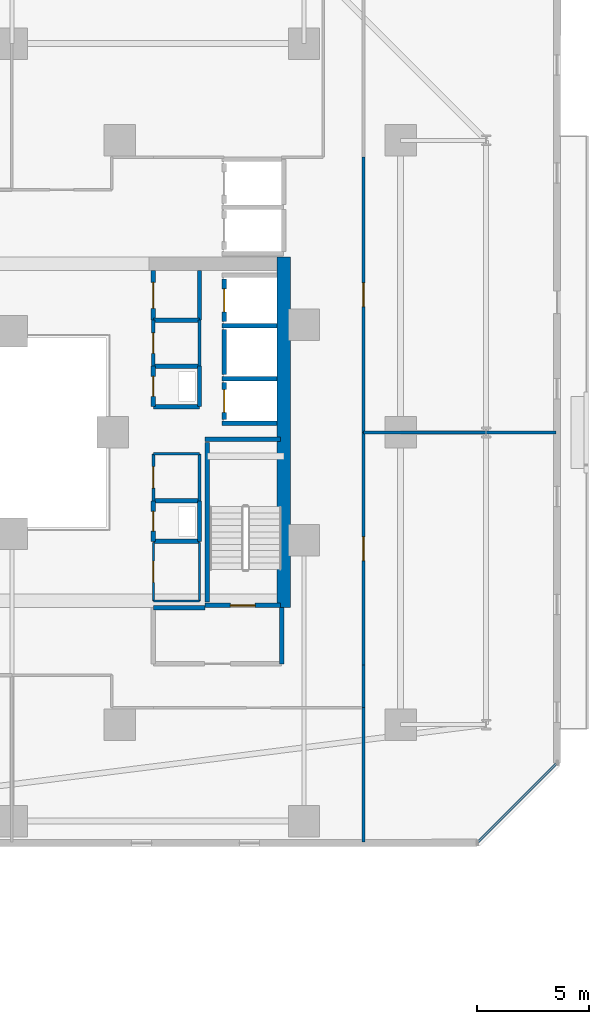
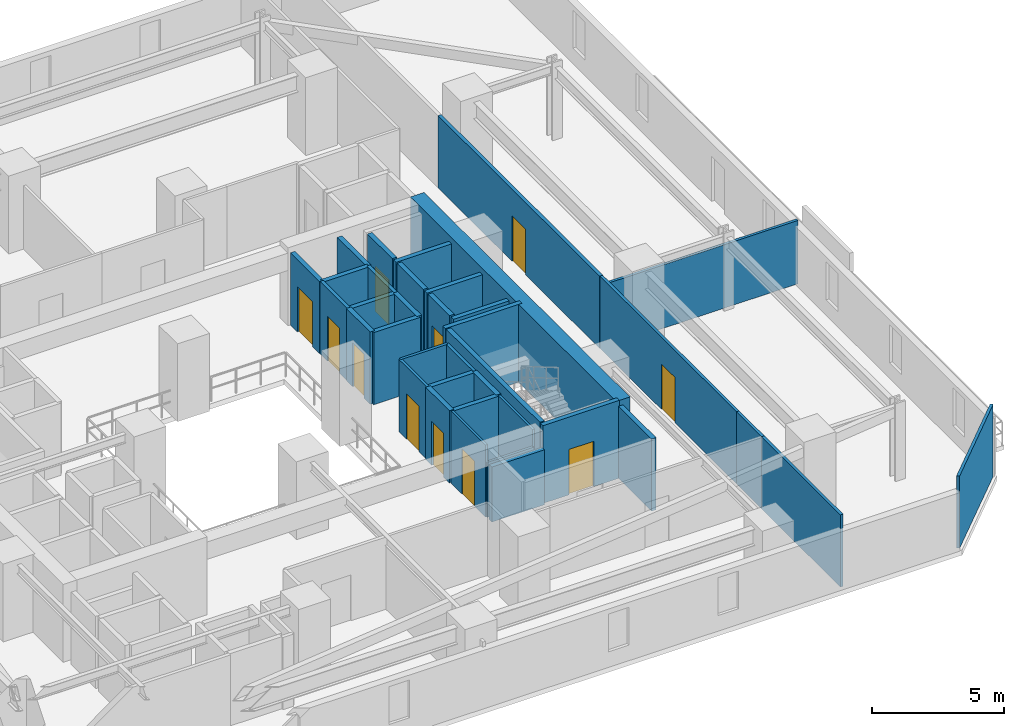
# One storey, part 25 of 34: 37 walls, 11 doors, 11 openings.
"""IFC4 building model written with IfcOpenShell, lengths in metres."""

from ifc_helpers import new_model, si_unit, direction, frame, frame_2d, origin, place, context, subcontext, project, spatial, rectangle, extrude, material, layer, layer_set, type_object, element, fill, save


model = new_model("IFC4")

# Units and contexts
model_context = context("Model", 3, precision=1e-05, world=origin(), true_north=direction((0.0, 1.0)))
body_context = subcontext(model_context, "Body", "Model", "MODEL_VIEW")
ifc_project = project(units=[si_unit("LENGTHUNIT", "METRE"), si_unit("AREAUNIT", "SQUARE_METRE"), si_unit("VOLUMEUNIT", "CUBIC_METRE"), si_unit("PLANEANGLEUNIT", "RADIAN"), si_unit("MASSUNIT", "GRAM", prefix="KILO")], contexts=[model_context])

# Site, building, storey
site_placement = place(None, origin())
site = spatial("IfcSite", under=ifc_project, at=site_placement, CompositionType="ELEMENT")
building_placement = place(site_placement, origin())
building = spatial("IfcBuilding", under=site, at=building_placement, Name="Thornwick Lancets Civic Towers", CompositionType="ELEMENT")
storey_placement = place(building_placement, frame((0.0, 0.0, 57.300048828125)))
storey = spatial("IfcBuildingStorey", under=building, at=storey_placement, Name="L14", CompositionType="ELEMENT", Elevation=57.300048828125)

# Wall, opening, door
ifc_material_1 = material(Name="Concrete blockwork C40/50", Category="masonry")
ifc_layer_1 = layer(ifc_material_1, 0.199951171875, Name="Concrete blockwork C40/50")
ifc_layer_set_1 = layer_set([ifc_layer_1], Name="Concrete blockwork C40/50")
wall_type_1 = type_object("IfcWallType", Name="WALL_COMP_200", PredefinedType="STANDARD", material=ifc_layer_set_1)
wall_1_placement = place(storey_placement, frame((97.949951171875, 29.219970703125, 0.0), z_axis=(0.0, 0.0, 1.0), x_axis=(0.0, -1.0, 0.0)))
wall_1 = element("IfcWall", 1, at=wall_1_placement, inside=storey, type_object=wall_type_1, Name="L14 Hoistway Front Wall FL-B1", PredefinedType="STANDARD", context=body_context, shape_type="SweptSolid", body=[
    extrude(rectangle(XDim=1.639892578125, YDim=0.199951171875, at=frame_2d((0.81982421875, 0.0))), origin(), (0.0, 0.0, 1.0), 3.33984375),
])
opening_1_placement = place(wall_1_placement, frame((0.31005859375, 0.0, 0.0)))
opening_1 = element("IfcOpeningElement", 2, at=opening_1_placement, cuts=wall_1, Name="Opening LD-FL-B1", PredefinedType="OPENING", context=body_context, shape_type="SweptSolid", body=[
    extrude(rectangle(XDim=1.02001953125, YDim=2.06005859375, at=frame_2d((0.510009765625, 1.030029296875))), frame((0.0, 0.10986328125, 0.0), z_axis=(0.0, -1.0, 0.0), x_axis=(1.0, 0.0, 0.0)), (0.0, 0.0, 1.0), 0.219970703125),
])
ifc_material_2 = material(Name="Brushed bronze stainless steel", Category="steel")
door_type_1 = type_object("IfcDoorType", Name="DOOR_LIFT_SLIDE", OperationType="SLIDING_TO_LEFT", PredefinedType="DOOR", material=ifc_material_2)
door_1_placement = place(opening_1_placement, origin())
door_1 = element("IfcDoor", 3, at=door_1_placement, inside=storey, type_object=door_type_1, Name="L14 Sliding Lift Landing Door LD-FL-B1", OperationType="SLIDING_TO_LEFT", OverallHeight=2.06005859375, OverallWidth=1.02001953125, PredefinedType="DOOR", context=body_context, shape_type="SweptSolid", body=[
    extrude(rectangle(XDim=1.02001953125, YDim=2.06005859375, at=frame_2d((0.510009765625, 1.030029296875))), frame((0.0, 0.02490234375, 0.0), z_axis=(0.0, -1.0, 0.0), x_axis=(1.0, 0.0, 0.0)), (0.0, 0.0, 1.0), 0.050048828125),
])
fill(opening_1, door_1)

# Wall
wall_2_placement = place(storey_placement, frame((97.949951171875, 31.570068359375, 0.0), z_axis=(0.0, 0.0, 1.0), x_axis=(0.0, -1.0, 0.0)))
element("IfcWall", 4, at=wall_2_placement, inside=storey, type_object=wall_type_1, Name="L14 Hoistway Front Wall PL-BH1", PredefinedType="STANDARD", context=body_context, shape_type="SweptSolid", body=[
    extrude(rectangle(XDim=1.989990234375, YDim=0.199951171875, at=frame_2d((0.9951171875, 0.0))), origin(), (0.0, 0.0, 1.0), 3.33984375),
])

# Wall, opening, door
wall_3_placement = place(storey_placement, frame((97.949951171875, 33.820068359375, 0.0), z_axis=(0.0, 0.0, 1.0), x_axis=(0.0, -1.0, 0.0)))
wall_3 = element("IfcWall", 5, at=wall_3_placement, inside=storey, type_object=wall_type_1, Name="L14 Hoistway Front Wall PL-BL1", PredefinedType="STANDARD", context=body_context, shape_type="SweptSolid", body=[
    extrude(rectangle(XDim=1.89013671875, YDim=0.199951171875, at=frame_2d((0.945068359375, 0.0))), origin(), (0.0, 0.0, 1.0), 3.33984375),
])
opening_2_placement = place(wall_3_placement, frame((0.43505859375, 0.0, 0.0)))
opening_2 = element("IfcOpeningElement", 6, at=opening_2_placement, cuts=wall_3, Name="Opening LD-PL-BL1", PredefinedType="OPENING", context=body_context, shape_type="SweptSolid", body=[
    extrude(rectangle(XDim=1.02001953125, YDim=2.06005859375, at=frame_2d((0.510009765625, 1.030029296875))), frame((0.0, 0.10986328125, 0.0), z_axis=(0.0, -1.0, 0.0), x_axis=(1.0, 0.0, 0.0)), (0.0, 0.0, 1.0), 0.219970703125),
])
door_2_placement = place(opening_2_placement, origin())
door_2 = element("IfcDoor", 7, at=door_2_placement, inside=storey, type_object=door_type_1, Name="L14 Sliding Lift Landing Door LD-PL-BL1", OperationType="SLIDING_TO_LEFT", OverallHeight=2.06005859375, OverallWidth=1.02001953125, PredefinedType="DOOR", context=body_context, shape_type="SweptSolid", body=[
    extrude(rectangle(XDim=1.02001953125, YDim=2.06005859375, at=frame_2d((0.510009765625, 1.030029296875))), frame((0.0, 0.02490234375, 0.0), z_axis=(0.0, -1.0, 0.0), x_axis=(1.0, 0.0, 0.0)), (0.0, 0.0, 1.0), 0.050048828125),
])
fill(opening_2, door_2)

# Walls
for number, where, z_axis, x_axis, name in (
    (8, (97.85205078125, 29.39990234375, 0.0), (0.0, 0.0, 1.0), (1.0, 0.0, 0.0), "L14 Hoistway Shaft Wall FL-B1 N"),
    (9, (97.85205078125, 27.39990234375, 0.0), (0.0, 0.0, 1.0), (1.0, 0.0, 0.0), "L14 Hoistway Shaft Wall FL-B1 S"),
    (10, (97.85205078125, 31.75, 0.0), (0.0, 0.0, 1.0), (1.0, 0.0, 0.0), "L14 Hoistway Shaft Wall PL-BH1 N"),
):
    element("IfcWall", number, at=place(storey_placement, frame(where, z_axis=z_axis, x_axis=x_axis)), inside=storey, type_object=wall_type_1, Name=name, PredefinedType="STANDARD", context=body_context, shape_type="SweptSolid", body=[
        extrude(rectangle(XDim=2.43603515625, YDim=0.199951171875, at=frame_2d((1.218017578125, 0.0))), origin(), (0.0, 0.0, 1.0), 3.33984375),
    ])
wall_4_placement = place(storey_placement, frame((100.5, 16.699951171875, 0.0), z_axis=(0.0, 0.0, 1.0), x_axis=(0.0, 1.0, 0.0)))
element("IfcWall", 11, at=wall_4_placement, inside=storey, type_object=wall_type_1, Name="L14 Partition L14-B-FFLOB1 E2", PredefinedType="STANDARD", context=body_context, shape_type="SweptSolid", body=[
    extrude(rectangle(XDim=2.5, YDim=0.199951171875, at=frame_2d((1.25, 0.0))), origin(), (0.0, 0.0, 1.0), 3.33984375),
])
wall_5_placement = place(storey_placement, frame((97.10009765625, 19.199951171875, 0.0), z_axis=(0.0, 0.0, 1.0), x_axis=(-1.0, 0.0, 0.0)))
element("IfcWall", 12, at=wall_5_placement, inside=storey, type_object=wall_type_1, Name="L14 Partition L14-B-FFLOB1 E3", PredefinedType="STANDARD", context=body_context, shape_type="SweptSolid", body=[
    extrude(rectangle(XDim=2.300048828125, YDim=0.199951171875, at=frame_2d((1.14990234375, 0.0))), origin(), (0.0, 0.0, 1.0), 2.544921875),
])
wall_6_placement = place(storey_placement, frame((94.800048828125, 28.14990234375, 0.0), z_axis=(0.0, 0.0, 1.0), x_axis=(1.0, 0.0, 0.0)))
element("IfcWall", 13, at=wall_6_placement, inside=storey, type_object=wall_type_1, Name="L14 Partition L14-B-DUCT1 E1", PredefinedType="STANDARD", context=body_context, shape_type="SweptSolid", body=[
    extrude(rectangle(XDim=2.050048828125, YDim=0.199951171875, at=frame_2d((1.02490234375, 0.0))), origin(), (0.0, 0.0, 1.0), 3.33984375),
])
wall_7_placement = place(storey_placement, frame((96.85009765625, 28.14990234375, 0.0), z_axis=(0.0, 0.0, 1.0), x_axis=(0.0, 1.0, 0.0)))
element("IfcWall", 14, at=wall_7_placement, inside=storey, type_object=wall_type_1, Name="L14 Partition L14-B-DUCT1 E2", PredefinedType="STANDARD", context=body_context, shape_type="SweptSolid", body=[
    extrude(rectangle(XDim=1.800048828125, YDim=0.199951171875, at=frame_2d((0.89990234375, 0.0))), origin(), (0.0, 0.0, 1.0), 3.33984375),
])
wall_8_placement = place(storey_placement, frame((96.85009765625, 29.949951171875, 0.0), z_axis=(0.0, 0.0, 1.0), x_axis=(-1.0, 0.0, 0.0)))
element("IfcWall", 15, at=wall_8_placement, inside=storey, type_object=wall_type_1, Name="L14 Partition L14-B-DUCT1 E3", PredefinedType="STANDARD", context=body_context, shape_type="SweptSolid", body=[
    extrude(rectangle(XDim=2.050048828125, YDim=0.199951171875, at=frame_2d((1.02490234375, 0.0))), origin(), (0.0, 0.0, 1.0), 3.33984375),
])

# Wall, opening, door
wall_9_placement = place(storey_placement, frame((94.800048828125, 29.949951171875, 0.0), z_axis=(0.0, 0.0, 1.0), x_axis=(0.0, -1.0, 0.0)))
wall_9 = element("IfcWall", 16, at=wall_9_placement, inside=storey, type_object=wall_type_1, Name="L14 Partition L14-B-DUCT1 E4", PredefinedType="STANDARD", context=body_context, shape_type="SweptSolid", body=[
    extrude(rectangle(XDim=1.800048828125, YDim=0.199951171875, at=frame_2d((0.89990234375, 0.0))), origin(), (0.0, 0.0, 1.0), 3.33984375),
])
opening_3_placement = place(wall_9_placement, frame((0.4599609375, 0.0, 0.0)))
opening_3 = element("IfcOpeningElement", 17, at=opening_3_placement, cuts=wall_9, Name="Opening D-L14-0677", PredefinedType="OPENING", context=body_context, shape_type="SweptSolid", body=[
    extrude(rectangle(XDim=0.8798828125, YDim=2.0400390625, at=frame_2d((0.43994140625, 1.02001953125))), frame((0.0, 0.10986328125, 0.0), z_axis=(0.0, -1.0, 0.0), x_axis=(1.0, 0.0, 0.0)), (0.0, 0.0, 1.0), 0.219970703125),
])
ifc_material_3 = material(Name="Steel riser access doorset", Category="steel")
door_type_2 = type_object("IfcDoorType", Name="DOOR_RISER_850", OperationType="NOTDEFINED", PredefinedType="DOOR", material=ifc_material_3)
door_3_placement = place(opening_3_placement, origin())
door_3 = element("IfcDoor", 18, at=door_3_placement, inside=storey, type_object=door_type_2, Name="L14 East Service Duct 1 Door", OperationType="SINGLE_SWING_RIGHT", OverallHeight=2.0400390625, OverallWidth=0.8798828125, PredefinedType="DOOR", context=body_context, shape_type="SweptSolid", body=[
    extrude(rectangle(XDim=0.8798828125, YDim=2.0400390625, at=frame_2d((0.43994140625, 1.02001953125))), frame((0.0, 0.02490234375, 0.0), z_axis=(0.0, -1.0, 0.0), x_axis=(1.0, 0.0, 0.0)), (0.0, 0.0, 1.0), 0.050048828125),
])
fill(opening_3, door_3)

# Walls
wall_10_placement = place(storey_placement, frame((94.800048828125, 22.14990234375, 0.0), z_axis=(0.0, 0.0, 1.0), x_axis=(1.0, 0.0, 0.0)))
element("IfcWall", 19, at=wall_10_placement, inside=storey, type_object=wall_type_1, Name="L14 Partition L14-B-RISER1 E1", PredefinedType="STANDARD", context=body_context, shape_type="SweptSolid", body=[
    extrude(rectangle(XDim=2.050048828125, YDim=0.199951171875, at=frame_2d((1.02490234375, 0.0))), origin(), (0.0, 0.0, 1.0), 3.33984375),
])
wall_11_placement = place(storey_placement, frame((96.85009765625, 22.14990234375, 0.0), z_axis=(0.0, 0.0, 1.0), x_axis=(0.0, 1.0, 0.0)))
element("IfcWall", 20, at=wall_11_placement, inside=storey, type_object=wall_type_1, Name="L14 Partition L14-B-RISER1 E2", PredefinedType="STANDARD", context=body_context, shape_type="SweptSolid", body=[
    extrude(rectangle(XDim=1.800048828125, YDim=0.199951171875, at=frame_2d((0.89990234375, 0.0))), origin(), (0.0, 0.0, 1.0), 3.33984375),
])
wall_12_placement = place(storey_placement, frame((96.85009765625, 23.949951171875, 0.0), z_axis=(0.0, 0.0, 1.0), x_axis=(-1.0, 0.0, 0.0)))
element("IfcWall", 21, at=wall_12_placement, inside=storey, type_object=wall_type_1, Name="L14 Partition L14-B-RISER1 E3", PredefinedType="STANDARD", context=body_context, shape_type="SweptSolid", body=[
    extrude(rectangle(XDim=2.050048828125, YDim=0.199951171875, at=frame_2d((1.02490234375, 0.0))), origin(), (0.0, 0.0, 1.0), 3.33984375),
])

# Wall, opening, door
wall_13_placement = place(storey_placement, frame((94.800048828125, 23.949951171875, 0.0), z_axis=(0.0, 0.0, 1.0), x_axis=(0.0, -1.0, 0.0)))
wall_13 = element("IfcWall", 22, at=wall_13_placement, inside=storey, type_object=wall_type_1, Name="L14 Partition L14-B-RISER1 E4", PredefinedType="STANDARD", context=body_context, shape_type="SweptSolid", body=[
    extrude(rectangle(XDim=1.800048828125, YDim=0.199951171875, at=frame_2d((0.89990234375, 0.0))), origin(), (0.0, 0.0, 1.0), 3.33984375),
])
opening_4_placement = place(wall_13_placement, frame((0.4599609375, 0.0, 0.0)))
opening_4 = element("IfcOpeningElement", 23, at=opening_4_placement, cuts=wall_13, Name="Opening D-L14-0678", PredefinedType="OPENING", context=body_context, shape_type="SweptSolid", body=[
    extrude(rectangle(XDim=0.8798828125, YDim=2.0400390625, at=frame_2d((0.43994140625, 1.02001953125))), frame((0.0, 0.10986328125, 0.0), z_axis=(0.0, -1.0, 0.0), x_axis=(1.0, 0.0, 0.0)), (0.0, 0.0, 1.0), 0.219970703125),
])
door_4_placement = place(opening_4_placement, origin())
door_4 = element("IfcDoor", 24, at=door_4_placement, inside=storey, type_object=door_type_2, Name="L14 East Electrical Riser 1 Door", OperationType="SINGLE_SWING_LEFT", OverallHeight=2.0400390625, OverallWidth=0.8798828125, PredefinedType="DOOR", context=body_context, shape_type="SweptSolid", body=[
    extrude(rectangle(XDim=0.8798828125, YDim=2.0400390625, at=frame_2d((0.43994140625, 1.02001953125))), frame((0.0, 0.02490234375, 0.0), z_axis=(0.0, -1.0, 0.0), x_axis=(1.0, 0.0, 0.0)), (0.0, 0.0, 1.0), 0.050048828125),
])
fill(opening_4, door_4)

wall_14_placement = place(storey_placement, frame((94.800048828125, 32.0, 0.0), z_axis=(0.0, 0.0, 1.0), x_axis=(0.0, 1.0, 0.0)))
wall_14 = element("IfcWall", 25, at=wall_14_placement, inside=storey, type_object=wall_type_1, Name="L14 Partition L14-B-STR2 E1", PredefinedType="STANDARD", context=body_context, shape_type="SweptSolid", body=[
    extrude(rectangle(XDim=2.199951171875, YDim=0.199951171875, at=frame_2d((1.10009765625, 0.0))), origin(), (0.0, 0.0, 1.0), 3.33984375),
])
opening_5_placement = place(wall_14_placement, frame((0.52490234375, 0.0, 0.0)))
opening_5 = element("IfcOpeningElement", 26, at=opening_5_placement, cuts=wall_14, Name="Opening D-L14-0684", PredefinedType="OPENING", context=body_context, shape_type="SweptSolid", body=[
    extrude(rectangle(XDim=1.14990234375, YDim=2.10009765625, at=frame_2d((0.574951171875, 1.050048828125))), frame((0.0, 0.10986328125, 0.0), z_axis=(0.0, -1.0, 0.0), x_axis=(1.0, 0.0, 0.0)), (0.0, 0.0, 1.0), 0.219970703125),
])
ifc_material_4 = material(Name="Glazed fire-resisting steel", Category="steel")
door_type_3 = type_object("IfcDoorType", Name="DOOR_LOBBY_FD60", OperationType="NOTDEFINED", PredefinedType="DOOR", material=ifc_material_4)
door_5_placement = place(opening_5_placement, origin())
door_5 = element("IfcDoor", 27, at=door_5_placement, inside=storey, type_object=door_type_3, Name="L14 Tower B Core Supplies Store Door", OperationType="SINGLE_SWING_LEFT", OverallHeight=2.10009765625, OverallWidth=1.14990234375, PredefinedType="DOOR", context=body_context, shape_type="SweptSolid", body=[
    extrude(rectangle(XDim=1.14990234375, YDim=2.10009765625, at=frame_2d((0.574951171875, 1.050048828125))), frame((0.0, 0.02490234375, 0.0), z_axis=(0.0, -1.0, 0.0), x_axis=(1.0, 0.0, 0.0)), (0.0, 0.0, 1.0), 0.050048828125),
])
fill(opening_5, door_5)

# Walls
wall_15_placement = place(storey_placement, frame((96.85009765625, 34.199951171875, 0.0), z_axis=(0.0, 0.0, 1.0), x_axis=(0.0, -1.0, 0.0)))
element("IfcWall", 28, at=wall_15_placement, inside=storey, type_object=wall_type_1, Name="L14 Partition L14-B-STR2 E3", PredefinedType="STANDARD", context=body_context, shape_type="SweptSolid", body=[
    extrude(rectangle(XDim=2.199951171875, YDim=0.199951171875, at=frame_2d((1.10009765625, 0.0))), origin(), (0.0, 0.0, 1.0), 3.33984375),
])
wall_16_placement = place(storey_placement, frame((96.85009765625, 32.0, 0.0), z_axis=(0.0, 0.0, 1.0), x_axis=(-1.0, 0.0, 0.0)))
element("IfcWall", 29, at=wall_16_placement, inside=storey, type_object=wall_type_1, Name="L14 Partition L14-B-STR2 E4", PredefinedType="STANDARD", context=body_context, shape_type="SweptSolid", body=[
    extrude(rectangle(XDim=2.050048828125, YDim=0.199951171875, at=frame_2d((1.02490234375, 0.0))), origin(), (0.0, 0.0, 1.0), 3.33984375),
])
ifc_material_5 = material(Name="Concrete C60/75", Category="concrete")
ifc_layer_2 = layer(ifc_material_5, 0.60009765625, Name="Concrete C60/75")
ifc_layer_set_2 = layer_set([ifc_layer_2], Name="Concrete C60/75")
wall_type_2 = type_object("IfcWallType", Name="WALL_CORE_600", PredefinedType="SHEAR", material=ifc_layer_set_2)
wall_17_placement = place(storey_placement, frame((100.60009765625, 19.199951171875, 0.0), z_axis=(0.0, 0.0, 1.0), x_axis=(0.0, 1.0, 0.0)))
element("IfcWall", 30, at=wall_17_placement, inside=storey, type_object=wall_type_2, Name="L14 Split Core B1 Shear Wall E", PredefinedType="SHEAR", context=body_context, shape_type="SweptSolid", body=[
    extrude(rectangle(XDim=15.60009765625, YDim=0.60009765625, at=frame_2d((7.800048828125, 0.0))), origin(), (0.0, 0.0, 1.0), 3.599853515625),
])
ifc_material_6 = material(Name="Lightweight cellular office partition")
ifc_layer_3 = layer(ifc_material_6, 0.10009765625, Name="Lightweight cellular office partition")
ifc_layer_set_3 = layer_set([ifc_layer_3], Name="Lightweight cellular office partition")
wall_type_3 = type_object("IfcWallType", Name="WALL_PART_100", PredefinedType="PARTITIONING", material=ifc_layer_set_3)
wall_18_placement = place(storey_placement, frame((94.800048828125, 19.5, 0.0), z_axis=(0.0, 0.0, 1.0), x_axis=(1.0, 0.0, 0.0)))
element("IfcWall", 31, at=wall_18_placement, inside=storey, type_object=wall_type_3, Name="L14 Partition L14-B-CLN E1", PredefinedType="PARTITIONING", context=body_context, shape_type="SweptSolid", body=[
    extrude(rectangle(XDim=2.050048828125, YDim=0.10009765625, at=frame_2d((1.02490234375, 0.0))), origin(), (0.0, 0.0, 1.0), 2.544921875),
])
wall_19_placement = place(storey_placement, frame((96.85009765625, 19.5, 0.0), z_axis=(0.0, 0.0, 1.0), x_axis=(0.0, 1.0, 0.0)))
element("IfcWall", 32, at=wall_19_placement, inside=storey, type_object=wall_type_3, Name="L14 Partition L14-B-CLN E2", PredefinedType="PARTITIONING", context=body_context, shape_type="SweptSolid", body=[
    extrude(rectangle(XDim=2.60009765625, YDim=0.10009765625, at=frame_2d((1.300048828125, 0.0))), origin(), (0.0, 0.0, 1.0), 3.33984375),
])

# Wall, opening, door
wall_20_placement = place(storey_placement, frame((94.800048828125, 22.10009765625, 0.0), z_axis=(0.0, 0.0, 1.0), x_axis=(0.0, -1.0, 0.0)))
wall_20 = element("IfcWall", 33, at=wall_20_placement, inside=storey, type_object=wall_type_3, Name="L14 Partition L14-B-CLN E4", PredefinedType="PARTITIONING", context=body_context, shape_type="SweptSolid", body=[
    extrude(rectangle(XDim=2.60009765625, YDim=0.10009765625, at=frame_2d((1.300048828125, 0.0))), origin(), (0.0, 0.0, 1.0), 3.33984375),
])
opening_6_placement = place(wall_20_placement, frame((0.824951171875, 0.0, 0.0)))
opening_6 = element("IfcOpeningElement", 34, at=opening_6_placement, cuts=wall_20, Name="Opening D-L14-0681", PredefinedType="OPENING", context=body_context, shape_type="SweptSolid", body=[
    extrude(rectangle(XDim=0.949951171875, YDim=2.10009765625, at=frame_2d((0.47509765625, 1.050048828125))), frame((0.0, 0.06005859375, 0.0), z_axis=(0.0, -1.0, 0.0), x_axis=(1.0, 0.0, 0.0)), (0.0, 0.0, 1.0), 0.1201171875),
])
ifc_material_7 = material(Name="European oak acoustic doorset")
door_type_4 = type_object("IfcDoorType", Name="DOOR_OFFICE_950", OperationType="NOTDEFINED", PredefinedType="DOOR", material=ifc_material_7)
door_6_placement = place(opening_6_placement, origin())
door_6 = element("IfcDoor", 35, at=door_6_placement, inside=storey, type_object=door_type_4, Name="L14 Tower B Cleaners Store Door", OperationType="SINGLE_SWING_RIGHT", OverallHeight=2.10009765625, OverallWidth=0.949951171875, PredefinedType="DOOR", context=body_context, shape_type="SweptSolid", body=[
    extrude(rectangle(XDim=0.949951171875, YDim=2.10009765625, at=frame_2d((0.47509765625, 1.050048828125))), frame((0.0, 0.02490234375, 0.0), z_axis=(0.0, -1.0, 0.0), x_axis=(1.0, 0.0, 0.0)), (0.0, 0.0, 1.0), 0.050048828125),
])
fill(opening_6, door_6)

ifc_material_8 = material(Name="Acoustic gypsum board partition")
ifc_layer_4 = layer(ifc_material_8, 0.1201171875, Name="Acoustic gypsum board partition")
ifc_layer_set_4 = layer_set([ifc_layer_4], Name="Acoustic gypsum board partition")
wall_type_4 = type_object("IfcWallType", Name="WALL_PART_120", PredefinedType="PARTITIONING", material=ifc_layer_set_4)
wall_21_placement = place(storey_placement, frame((94.800048828125, 23.949951171875, 0.0), z_axis=(0.0, 0.0, 1.0), x_axis=(0.0, 1.0, 0.0)))
wall_21 = element("IfcWall", 36, at=wall_21_placement, inside=storey, type_object=wall_type_4, Name="L14 Partition L14-B-ITR E1", PredefinedType="PARTITIONING", context=body_context, shape_type="SweptSolid", body=[
    extrude(rectangle(XDim=2.10009765625, YDim=0.1201171875, at=frame_2d((1.050048828125, 0.0))), origin(), (0.0, 0.0, 1.0), 3.33984375),
])
opening_7_placement = place(wall_21_placement, frame((0.574951171875, 0.0, 0.0)))
opening_7 = element("IfcOpeningElement", 37, at=opening_7_placement, cuts=wall_21, Name="Opening D-L14-0682", PredefinedType="OPENING", context=body_context, shape_type="SweptSolid", body=[
    extrude(rectangle(XDim=0.949951171875, YDim=2.10009765625, at=frame_2d((0.47509765625, 1.050048828125))), frame((0.0, 0.070068359375, 0.0), z_axis=(0.0, -1.0, 0.0), x_axis=(1.0, 0.0, 0.0)), (0.0, 0.0, 1.0), 0.14013671875),
])
door_7_placement = place(opening_7_placement, origin())
door_7 = element("IfcDoor", 38, at=door_7_placement, inside=storey, type_object=door_type_4, Name="L14 Tower B Comms Patch Room Door", OperationType="SINGLE_SWING_LEFT", OverallHeight=2.10009765625, OverallWidth=0.949951171875, PredefinedType="DOOR", context=body_context, shape_type="SweptSolid", body=[
    extrude(rectangle(XDim=0.949951171875, YDim=2.10009765625, at=frame_2d((0.47509765625, 1.050048828125))), frame((0.0, 0.02490234375, 0.0), z_axis=(0.0, -1.0, 0.0), x_axis=(1.0, 0.0, 0.0)), (0.0, 0.0, 1.0), 0.050048828125),
])
fill(opening_7, door_7)

# Walls
wall_22_placement = place(storey_placement, frame((94.800048828125, 26.050048828125, 0.0), z_axis=(0.0, 0.0, 1.0), x_axis=(1.0, 0.0, 0.0)))
element("IfcWall", 39, at=wall_22_placement, inside=storey, type_object=wall_type_4, Name="L14 Partition L14-B-ITR E2", PredefinedType="PARTITIONING", context=body_context, shape_type="SweptSolid", body=[
    extrude(rectangle(XDim=2.050048828125, YDim=0.1201171875, at=frame_2d((1.02490234375, 0.0))), origin(), (0.0, 0.0, 1.0), 3.33984375),
])
wall_23_placement = place(storey_placement, frame((96.85009765625, 26.050048828125, 0.0), z_axis=(0.0, 0.0, 1.0), x_axis=(0.0, -1.0, 0.0)))
element("IfcWall", 40, at=wall_23_placement, inside=storey, type_object=wall_type_4, Name="L14 Partition L14-B-ITR E3", PredefinedType="PARTITIONING", context=body_context, shape_type="SweptSolid", body=[
    extrude(rectangle(XDim=2.10009765625, YDim=0.1201171875, at=frame_2d((1.050048828125, 0.0))), origin(), (0.0, 0.0, 1.0), 3.33984375),
])
wall_24_placement = place(storey_placement, frame((104.14990234375, 14.75, 0.0), z_axis=(0.0, 0.0, 1.0), x_axis=(0.0, -1.0, 0.0)))
element("IfcWall", 41, at=wall_24_placement, inside=storey, type_object=wall_type_4, Name="L14 Partition L14-B-W1 E4", PredefinedType="PARTITIONING", context=body_context, shape_type="SweptSolid", body=[
    extrude(rectangle(XDim=5.969970703125, YDim=0.1201171875, at=frame_2d((2.98486328125, 0.0))), origin(), (0.0, 0.0, 1.0), 3.33984375),
])
wall_25_placement = place(storey_placement, frame((104.14990234375, 14.75, 0.0), z_axis=(0.0, 0.0, 1.0), x_axis=(0.0, 1.0, 0.0)))
element("IfcWall", 42, at=wall_25_placement, inside=storey, type_object=wall_type_4, Name="L14 Partition L14-B-S-OFF E3", PredefinedType="PARTITIONING", context=body_context, shape_type="SweptSolid", body=[
    extrude(rectangle(XDim=1.89990234375, YDim=0.1201171875, at=frame_2d((0.949951171875, 0.0))), origin(), (0.0, 0.0, 1.0), 3.33984375),
])

# Wall, opening, door
wall_26_placement = place(storey_placement, frame((104.14990234375, 16.64990234375, 0.0), z_axis=(0.0, 0.0, 1.0), x_axis=(0.0, 1.0, 0.0)))
wall_26 = element("IfcWall", 43, at=wall_26_placement, inside=storey, type_object=wall_type_4, Name="L14 Partition L14-B-S-OFF E4", PredefinedType="PARTITIONING", context=body_context, shape_type="SweptSolid", body=[
    extrude(rectangle(XDim=10.35009765625, YDim=0.1201171875, at=frame_2d((5.175048828125, 0.0))), origin(), (0.0, 0.0, 1.0), 3.33984375),
])
opening_8_placement = place(wall_26_placement, frame((4.64990234375, 0.0, 0.0)))
opening_8 = element("IfcOpeningElement", 44, at=opening_8_placement, cuts=wall_26, Name="Opening D-L14-0697", PredefinedType="OPENING", context=body_context, shape_type="SweptSolid", body=[
    extrude(rectangle(XDim=1.050048828125, YDim=2.10009765625, at=frame_2d((0.52490234375, 1.050048828125))), frame((0.0, 0.070068359375, 0.0), z_axis=(0.0, -1.0, 0.0), x_axis=(1.0, 0.0, 0.0)), (0.0, 0.0, 1.0), 0.14013671875),
])
ifc_material_9 = material(Name="Glazed European oak executive doorset")
door_type_5 = type_object("IfcDoorType", Name="DOOR_OFFICE_1050", OperationType="NOTDEFINED", PredefinedType="DOOR", material=ifc_material_9)
door_8_placement = place(opening_8_placement, origin())
door_8 = element("IfcDoor", 45, at=door_8_placement, inside=storey, type_object=door_type_5, Name="L14 Tower B South Division Office Door", OperationType="SINGLE_SWING_RIGHT", OverallHeight=2.10009765625, OverallWidth=1.050048828125, PredefinedType="DOOR", context=body_context, shape_type="SweptSolid", body=[
    extrude(rectangle(XDim=1.050048828125, YDim=2.10009765625, at=frame_2d((0.52490234375, 1.050048828125))), frame((0.0, 0.02490234375, 0.0), z_axis=(0.0, -1.0, 0.0), x_axis=(1.0, 0.0, 0.0)), (0.0, 0.0, 1.0), 0.050048828125),
])
fill(opening_8, door_8)

# Walls
wall_27_placement = place(storey_placement, frame((104.14990234375, 27.0, 0.0), z_axis=(0.0, 0.0, 1.0), x_axis=(1.0, 0.0, 0.0)))
element("IfcWall", 46, at=wall_27_placement, inside=storey, type_object=wall_type_4, Name="L14 Partition L14-B-S-OFF E5", PredefinedType="PARTITIONING", context=body_context, shape_type="SweptSolid", body=[
    extrude(rectangle(XDim=8.570068359375, YDim=0.1201171875, at=frame_2d((4.28515625, 0.0))), origin(), (0.0, 0.0, 1.0), 2.93212890625),
])
wall_28_placement = place(storey_placement, frame((112.719970703125, 12.256591796875, 0.0), z_axis=(0.0, 0.0, 1.0), x_axis=(-0.707106781187, -0.707106781187, 0.0)))
element("IfcWall", 47, at=wall_28_placement, inside=storey, type_object=wall_type_4, Name="L14 Partition L14-B-S-OFF E7", PredefinedType="PARTITIONING", context=body_context, shape_type="SweptSolid", body=[
    extrude(rectangle(XDim=4.91650390625, YDim=0.1201171875, at=frame_2d((2.458251953125, 0.0))), origin(), (0.0, 0.0, 1.0), 3.33984375),
])

# Wall, opening, door
ifc_material_10 = material(Name="Twin-stud acoustic gypsum board")
ifc_layer_5 = layer(ifc_material_10, 0.14990234375, Name="Twin-stud acoustic gypsum board")
ifc_layer_set_5 = layer_set([ifc_layer_5], Name="Twin-stud acoustic gypsum board")
wall_type_5 = type_object("IfcWallType", Name="WALL_PART_150", PredefinedType="PARTITIONING", material=ifc_layer_set_5)
wall_29_placement = place(storey_placement, frame((94.800048828125, 29.949951171875, 0.0), z_axis=(0.0, 0.0, 1.0), x_axis=(0.0, 1.0, 0.0)))
wall_29 = element("IfcWall", 48, at=wall_29_placement, inside=storey, type_object=wall_type_5, Name="L14 Partition L14-B-AWC E1", PredefinedType="PARTITIONING", context=body_context, shape_type="SweptSolid", body=[
    extrude(rectangle(XDim=2.050048828125, YDim=0.14990234375, at=frame_2d((1.02490234375, 0.0))), origin(), (0.0, 0.0, 1.0), 3.33984375),
])
opening_9_placement = place(wall_29_placement, frame((0.56494140625, 0.0, 0.0)))
opening_9 = element("IfcOpeningElement", 49, at=opening_9_placement, cuts=wall_29, Name="Opening D-L14-0683", PredefinedType="OPENING", context=body_context, shape_type="SweptSolid", body=[
    extrude(rectangle(XDim=0.919921875, YDim=2.080078125, at=frame_2d((0.4599609375, 1.0400390625))), frame((0.0, 0.0849609375, 0.0), z_axis=(0.0, -1.0, 0.0), x_axis=(1.0, 0.0, 0.0)), (0.0, 0.0, 1.0), 0.169921875),
])
ifc_material_11 = material(Name="Moisture-resistant oak doorset")
door_type_6 = type_object("IfcDoorType", Name="DOOR_WC_900", OperationType="NOTDEFINED", PredefinedType="DOOR", material=ifc_material_11)
door_9_placement = place(opening_9_placement, origin())
door_9 = element("IfcDoor", 50, at=door_9_placement, inside=storey, type_object=door_type_6, Name="L14 Tower B Accessible WC Door", OperationType="SINGLE_SWING_RIGHT", OverallHeight=2.080078125, OverallWidth=0.919921875, PredefinedType="DOOR", context=body_context, shape_type="SweptSolid", body=[
    extrude(rectangle(XDim=0.919921875, YDim=2.080078125, at=frame_2d((0.4599609375, 1.0400390625))), frame((0.0, 0.02490234375, 0.0), z_axis=(0.0, -1.0, 0.0), x_axis=(1.0, 0.0, 0.0)), (0.0, 0.0, 1.0), 0.050048828125),
])
fill(opening_9, door_9)

# Wall
wall_30_placement = place(storey_placement, frame((96.85009765625, 32.0, 0.0), z_axis=(0.0, 0.0, 1.0), x_axis=(0.0, -1.0, 0.0)))
element("IfcWall", 51, at=wall_30_placement, inside=storey, type_object=wall_type_5, Name="L14 Partition L14-B-AWC E3", PredefinedType="PARTITIONING", context=body_context, shape_type="SweptSolid", body=[
    extrude(rectangle(XDim=2.050048828125, YDim=0.14990234375, at=frame_2d((1.02490234375, 0.0))), origin(), (0.0, 0.0, 1.0), 3.33984375),
])

# Wall, opening, door
wall_31_placement = place(storey_placement, frame((104.14990234375, 27.0, 0.0), z_axis=(0.0, 0.0, 1.0), x_axis=(0.0, 1.0, 0.0)))
wall_31 = element("IfcWall", 52, at=wall_31_placement, inside=storey, type_object=wall_type_5, Name="L14 Partition L14-B-S-ARCH E1", PredefinedType="PARTITIONING", context=body_context, shape_type="SweptSolid", body=[
    extrude(rectangle(XDim=12.25, YDim=0.14990234375, at=frame_2d((6.125, 0.0))), origin(), (0.0, 0.0, 1.0), 3.33984375),
])
opening_10_placement = place(wall_31_placement, frame((5.60009765625, 0.0, 0.0)))
opening_10 = element("IfcOpeningElement", 53, at=opening_10_placement, cuts=wall_31, Name="Opening D-L14-0698", PredefinedType="OPENING", context=body_context, shape_type="SweptSolid", body=[
    extrude(rectangle(XDim=1.050048828125, YDim=2.10009765625, at=frame_2d((0.52490234375, 1.050048828125))), frame((0.0, 0.0849609375, 0.0), z_axis=(0.0, -1.0, 0.0), x_axis=(1.0, 0.0, 0.0)), (0.0, 0.0, 1.0), 0.169921875),
])
door_10_placement = place(opening_10_placement, origin())
door_10 = element("IfcDoor", 54, at=door_10_placement, inside=storey, type_object=door_type_5, Name="L14 Tower B Registry and Records Archive Door", OperationType="SINGLE_SWING_LEFT", OverallHeight=2.10009765625, OverallWidth=1.050048828125, PredefinedType="DOOR", context=body_context, shape_type="SweptSolid", body=[
    extrude(rectangle(XDim=1.050048828125, YDim=2.10009765625, at=frame_2d((0.52490234375, 1.050048828125))), frame((0.0, 0.02490234375, 0.0), z_axis=(0.0, -1.0, 0.0), x_axis=(1.0, 0.0, 0.0)), (0.0, 0.0, 1.0), 0.050048828125),
])
fill(opening_10, door_10)

ifc_material_12 = material(Name="Concrete C40/50", Category="concrete")
ifc_layer_6 = layer(ifc_material_12, 0.199951171875, Name="Concrete C40/50")
ifc_layer_set_6 = layer_set([ifc_layer_6], Name="Concrete C40/50")
wall_type_6 = type_object("IfcWallType", Name="WALL_SHAFT_200", PredefinedType="SHEAR", material=ifc_layer_set_6)
wall_32_placement = place(storey_placement, frame((100.449951171875, 19.300048828125, 0.0), z_axis=(0.0, 0.0, 1.0), x_axis=(-1.0, 0.0, 0.0)))
wall_32 = element("IfcWall", 55, at=wall_32_placement, inside=storey, type_object=wall_type_6, Name="L14 ST-B1 Fire Stair Core Wall NEAR", PredefinedType="SHEAR", context=body_context, shape_type="SweptSolid", body=[
    extrude(rectangle(XDim=3.349853515625, YDim=0.199951171875, at=frame_2d((1.6748046875, 0.0))), origin(), (0.0, 0.0, 1.0), 3.599853515625),
])
opening_11_placement = place(wall_32_placement, frame((1.125, 0.0, 0.0)))
opening_11 = element("IfcOpeningElement", 56, at=opening_11_placement, cuts=wall_32, Name="Opening D-ST-B1-L14", PredefinedType="OPENING", context=body_context, shape_type="SweptSolid", body=[
    extrude(rectangle(XDim=1.10009765625, YDim=2.10009765625, at=frame_2d((0.550048828125, 1.050048828125))), frame((0.0, 0.10986328125, 0.0), z_axis=(0.0, -1.0, 0.0), x_axis=(1.0, 0.0, 0.0)), (0.0, 0.0, 1.0), 0.219970703125),
])
ifc_material_13 = material(Name="Fire-resisting steel and hardwood", Category="steel")
door_type_7 = type_object("IfcDoorType", Name="DOOR_STAIR_FD60", OperationType="NOTDEFINED", PredefinedType="DOOR", material=ifc_material_13)
door_11_placement = place(opening_11_placement, origin())
door_11 = element("IfcDoor", 57, at=door_11_placement, inside=storey, type_object=door_type_7, Name="L14 ST-B1 Exit Stair Door", OperationType="SINGLE_SWING_RIGHT", OverallHeight=2.10009765625, OverallWidth=1.10009765625, PredefinedType="DOOR", context=body_context, shape_type="SweptSolid", body=[
    extrude(rectangle(XDim=1.10009765625, YDim=2.10009765625, at=frame_2d((0.550048828125, 1.050048828125))), frame((0.0, 0.02490234375, 0.0), z_axis=(0.0, -1.0, 0.0), x_axis=(1.0, 0.0, 0.0)), (0.0, 0.0, 1.0), 0.050048828125),
])
fill(opening_11, door_11)

# Walls
wall_33_placement = place(storey_placement, frame((97.10009765625, 26.699951171875, 0.0), z_axis=(0.0, 0.0, 1.0), x_axis=(1.0, 0.0, 0.0)))
element("IfcWall", 58, at=wall_33_placement, inside=storey, type_object=wall_type_6, Name="L14 ST-B1 Fire Stair Core Wall FAR", PredefinedType="SHEAR", context=body_context, shape_type="SweptSolid", body=[
    extrude(rectangle(XDim=3.349853515625, YDim=0.199951171875, at=frame_2d((1.6748046875, 0.0))), origin(), (0.0, 0.0, 1.0), 3.599853515625),
])
wall_34_placement = place(storey_placement, frame((97.202880859375, 26.550048828125, 0.0), z_axis=(0.0, 0.0, 1.0), x_axis=(0.0, -1.0, 0.0)))
element("IfcWall", 59, at=wall_34_placement, inside=storey, type_object=wall_type_6, Name="L14 ST-B1 Fire Stair Core Wall RIGHT", PredefinedType="SHEAR", context=body_context, shape_type="SweptSolid", body=[
    extrude(rectangle(XDim=7.10009765625, YDim=0.199951171875, at=frame_2d((3.550048828125, 0.0))), origin(), (0.0, 0.0, 1.0), 3.599853515625),
])

save(model, "model.ifc")
